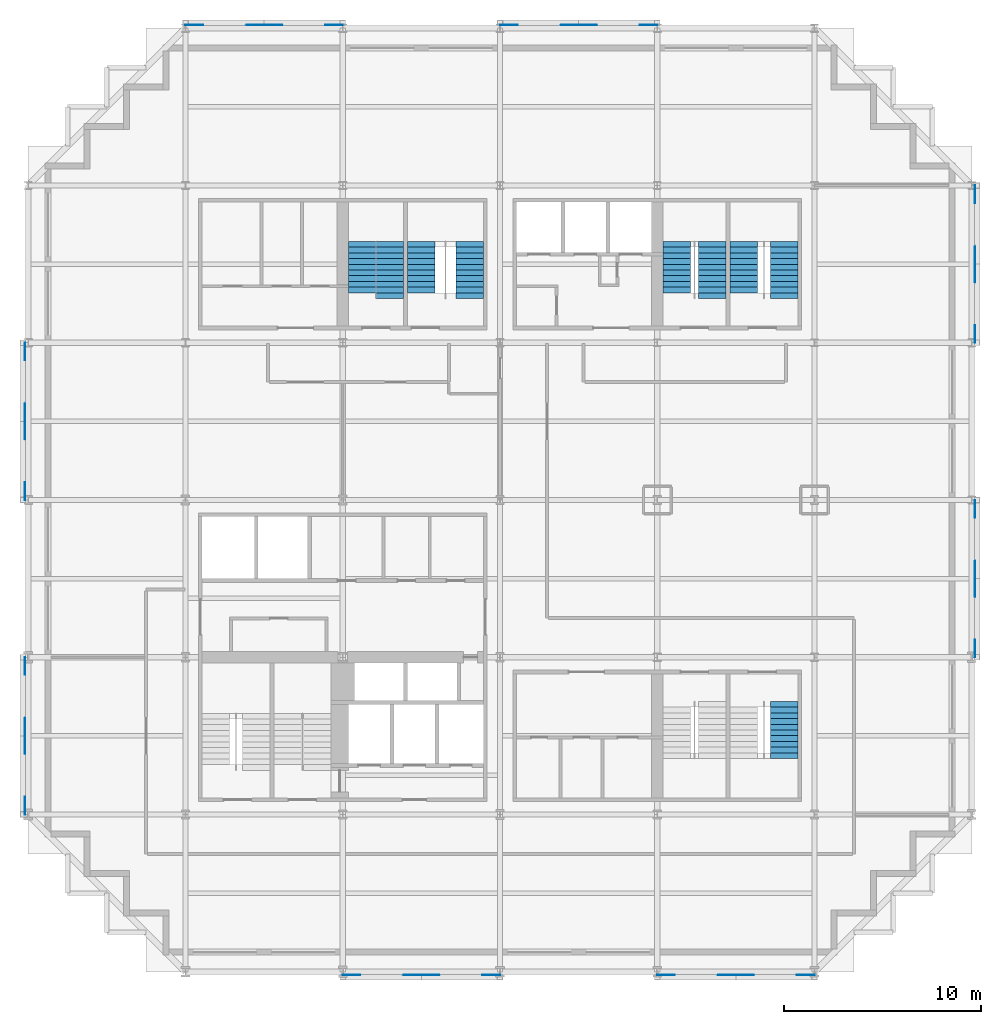
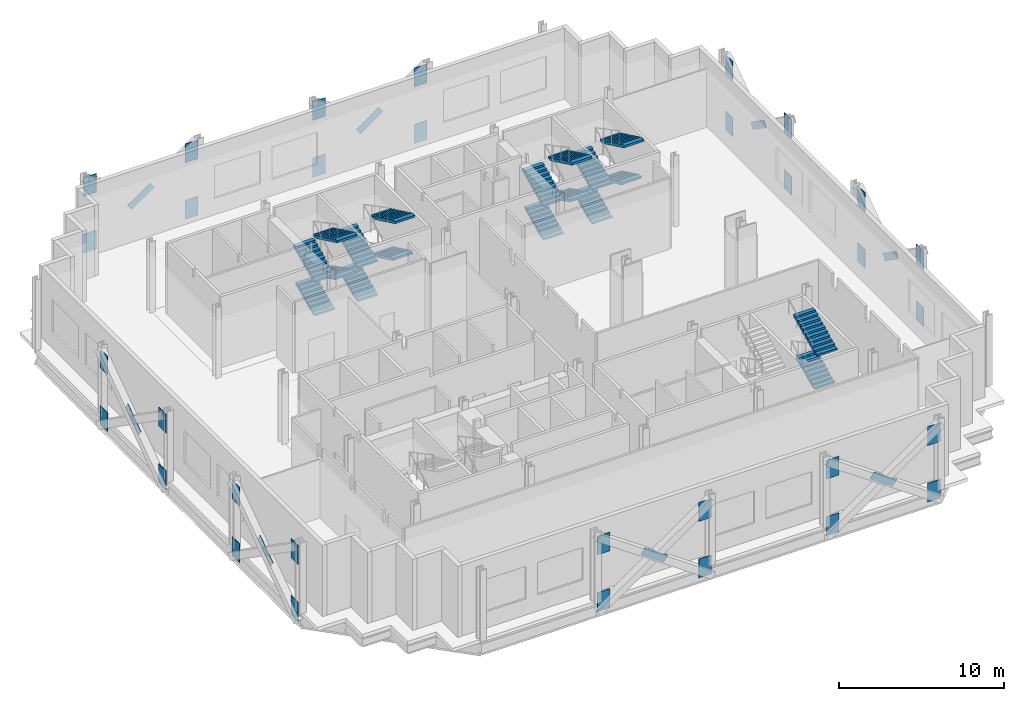
# One storey, part 9 of 10: 40 discrete accessories, 18 stair flights, 5 elements without a shape of their own.
"""IFC4 building model written with IfcOpenShell, lengths in metres."""

from ifc_helpers import new_model, si_unit, direction, frame, origin, origin_2d, place, context, subcontext, project, spatial, polyline, rectangle, outline, extrude, material, material_profile, profile_set, type_object, element, aggregate, save


model = new_model("IFC4")

# Units and contexts
model_context = context("Model", 3, precision=1e-05, world=origin(), true_north=direction((0.0, 1.0)))
body_context = subcontext(model_context, "Body", "Model", "MODEL_VIEW")
ifc_project = project(units=[si_unit("LENGTHUNIT", "METRE"), si_unit("AREAUNIT", "SQUARE_METRE"), si_unit("VOLUMEUNIT", "CUBIC_METRE"), si_unit("PLANEANGLEUNIT", "RADIAN"), si_unit("MASSUNIT", "GRAM", prefix="KILO")], contexts=[model_context])

# Site, building, storey
site_placement = place(None, origin())
site = spatial("IfcSite", under=ifc_project, at=site_placement, CompositionType="ELEMENT")
building_placement = place(site_placement, origin())
building = spatial("IfcBuilding", under=site, at=building_placement, Name="Immortelle Media Tower", CompositionType="ELEMENT")
storey_placement = place(building_placement, frame((0.0, 0.0, 29.39990234375)))
storey = spatial("IfcBuildingStorey", under=building, at=storey_placement, Name="L03", CompositionType="ELEMENT", Elevation=29.39990234375)

# Stair, stair flights
ifc_material_1 = material(Name="Steel ASTM A992 Gr 50", Category="steel")
stair_type = type_object("IfcStairType", Name="Stair with flights", PredefinedType="DOUBLE_RETURN_STAIR", material=ifc_material_1)
stair_1_placement = place(storey_placement, origin())
stair_1 = element("IfcStair", 1, at=stair_1_placement, inside=storey, type_object=stair_type, Name="Exit stair SE2", PredefinedType="DOUBLE_RETURN_STAIR")
stair_flight_type = type_object("IfcStairFlightType", Name="Stair flight 1400", PredefinedType="STRAIGHT", material=ifc_material_1)
stair_flight_1_placement = place(storey_placement, frame((38.449951171875, 11.139892578125, 1.246337890625), z_axis=(0.0, 0.0, 1.0), x_axis=(0.0, 1.0, 0.0)))
stair_flight_1 = element("IfcStairFlight", 2, at=stair_flight_1_placement, type_object=stair_flight_type, Name="ST SE2 flight 2", NumberOfRisers=9, NumberOfTreads=8, PredefinedType="STRAIGHT", RiserHeight=0.138461538, TreadLength=0.29, context=body_context, shape_type="SweptSolid", body=[
    extrude(outline(polyline([(0.0, 0.0), (0.0, 0.138427734375), (0.2900390625, 0.138427734375), (0.2900390625, 0.27685546875), (0.580078125, 0.27685546875), (0.580078125, 0.415283203125), (0.8701171875, 0.415283203125), (0.8701171875, 0.553955078125), (1.159912109375, 0.553955078125), (1.159912109375, 0.6923828125), (1.449951171875, 0.6923828125), (1.449951171875, 0.830810546875), (1.739990234375, 0.830810546875), (1.739990234375, 0.96923828125), (2.030029296875, 0.96923828125), (2.030029296875, 1.107666015625), (2.320068359375, 1.107666015625), (2.320068359375, 1.24609375), (2.320068359375, 0.941650390625), (0.347900390625, 0.0), (0.0, 0.0)])), frame((0.0, 0.699951171875, 0.0), z_axis=(0.0, -1.0, 0.0), x_axis=(1.0, 0.0, 0.0)), (0.0, 0.0, 1.0), 1.39990234375),
])
stair_flight_2_placement = place(storey_placement, frame((38.449951171875, 10.85009765625, 3.876953125), z_axis=(0.0, 0.0, 1.0), x_axis=(0.0, 1.0, 0.0)))
stair_flight_2 = element("IfcStairFlight", 3, at=stair_flight_2_placement, type_object=stair_flight_type, Name="ST SE2 flight 4", NumberOfRisers=11, NumberOfTreads=10, PredefinedType="STRAIGHT", RiserHeight=0.138461538, TreadLength=0.29, context=body_context, shape_type="SweptSolid", body=[
    extrude(outline(polyline([(0.0, 0.0), (0.0, 0.138427734375), (0.2900390625, 0.138427734375), (0.2900390625, 0.27685546875), (0.580078125, 0.27685546875), (0.580078125, 0.415283203125), (0.8701171875, 0.415283203125), (0.8701171875, 0.553955078125), (1.159912109375, 0.553955078125), (1.159912109375, 0.6923828125), (1.449951171875, 0.6923828125), (1.449951171875, 0.830810546875), (1.739990234375, 0.830810546875), (1.739990234375, 0.96923828125), (2.030029296875, 0.96923828125), (2.030029296875, 1.107666015625), (2.320068359375, 1.107666015625), (2.320068359375, 1.24609375), (2.610107421875, 1.24609375), (2.610107421875, 1.384521484375), (2.89990234375, 1.384521484375), (2.89990234375, 1.523193359375), (2.89990234375, 1.218505859375), (0.347900390625, 0.0), (0.0, 0.0)])), frame((0.0, 0.699951171875, 0.0), z_axis=(0.0, -1.0, 0.0), x_axis=(1.0, 0.0, 0.0)), (0.0, 0.0, 1.0), 1.39990234375),
])
aggregate(stair_1, [stair_flight_1, stair_flight_2])

stair_2_placement = place(storey_placement, origin())
stair_2 = element("IfcStair", 4, at=stair_2_placement, inside=storey, type_object=stair_type, Name="Exit stair NW1", PredefinedType="DOUBLE_RETURN_STAIR")
stair_flight_3_placement = place(storey_placement, frame((17.0, 34.5400390625, 0.0), z_axis=(0.0, 0.0, 1.0), x_axis=(0.0, 1.0, 0.0)))
stair_flight_3 = element("IfcStairFlight", 5, at=stair_flight_3_placement, type_object=stair_flight_type, Name="ST NW1 flight 1", NumberOfRisers=9, NumberOfTreads=8, PredefinedType="STRAIGHT", RiserHeight=0.138461538, TreadLength=0.29, context=body_context, shape_type="SweptSolid", body=[
    extrude(outline(polyline([(0.0, 0.0), (0.0, 0.138427734375), (0.2900390625, 0.138427734375), (0.2900390625, 0.27685546875), (0.580078125, 0.27685546875), (0.580078125, 0.415283203125), (0.8701171875, 0.415283203125), (0.8701171875, 0.553955078125), (1.159912109375, 0.553955078125), (1.159912109375, 0.6923828125), (1.449951171875, 0.6923828125), (1.449951171875, 0.830810546875), (1.739990234375, 0.830810546875), (1.739990234375, 0.96923828125), (2.030029296875, 0.96923828125), (2.030029296875, 1.107666015625), (2.320068359375, 1.107666015625), (2.320068359375, 1.24609375), (2.320068359375, 0.941650390625), (0.347900390625, 0.0), (0.0, 0.0)])), frame((0.0, 0.699951171875, 0.0), z_axis=(0.0, -1.0, 0.0), x_axis=(1.0, 0.0, 0.0)), (0.0, 0.0, 1.0), 1.39990234375),
])
stair_flight_4_placement = place(storey_placement, frame((18.39990234375, 36.860107421875, 1.246337890625), z_axis=(0.0, 0.0, 1.0), x_axis=(0.0, -1.0, 0.0)))
stair_flight_4 = element("IfcStairFlight", 6, at=stair_flight_4_placement, type_object=stair_flight_type, Name="ST NW1 flight 2", NumberOfRisers=9, NumberOfTreads=8, PredefinedType="STRAIGHT", RiserHeight=0.138461538, TreadLength=0.29, context=body_context, shape_type="SweptSolid", body=[
    extrude(outline(polyline([(0.0, 0.0), (0.0, 0.138427734375), (0.2900390625, 0.138427734375), (0.2900390625, 0.27685546875), (0.580078125, 0.27685546875), (0.580078125, 0.415283203125), (0.8701171875, 0.415283203125), (0.8701171875, 0.553955078125), (1.159912109375, 0.553955078125), (1.159912109375, 0.6923828125), (1.449951171875, 0.6923828125), (1.449951171875, 0.830810546875), (1.739990234375, 0.830810546875), (1.739990234375, 0.96923828125), (2.030029296875, 0.96923828125), (2.030029296875, 1.107666015625), (2.320068359375, 1.107666015625), (2.320068359375, 1.24609375), (2.320068359375, 0.941650390625), (0.347900390625, 0.0), (0.0, 0.0)])), frame((0.0, 0.699951171875, 0.0), z_axis=(0.0, -1.0, 0.0), x_axis=(1.0, 0.0, 0.0)), (0.0, 0.0, 1.0), 1.39990234375),
])
stair_flight_5_placement = place(storey_placement, frame((17.0, 34.5400390625, 2.492431640625), z_axis=(0.0, 0.0, 1.0), x_axis=(0.0, 1.0, 0.0)))
stair_flight_5 = element("IfcStairFlight", 7, at=stair_flight_5_placement, type_object=stair_flight_type, Name="ST NW1 flight 3", NumberOfRisers=10, NumberOfTreads=9, PredefinedType="STRAIGHT", RiserHeight=0.138461538, TreadLength=0.29, context=body_context, shape_type="SweptSolid", body=[
    extrude(outline(polyline([(0.0, 0.0), (0.0, 0.138427734375), (0.2900390625, 0.138427734375), (0.2900390625, 0.27685546875), (0.580078125, 0.27685546875), (0.580078125, 0.415283203125), (0.8701171875, 0.415283203125), (0.8701171875, 0.553955078125), (1.159912109375, 0.553955078125), (1.159912109375, 0.6923828125), (1.449951171875, 0.6923828125), (1.449951171875, 0.830810546875), (1.739990234375, 0.830810546875), (1.739990234375, 0.96923828125), (2.030029296875, 0.96923828125), (2.030029296875, 1.107666015625), (2.320068359375, 1.107666015625), (2.320068359375, 1.24609375), (2.610107421875, 1.24609375), (2.610107421875, 1.384521484375), (2.610107421875, 1.080078125), (0.347900390625, 0.0), (0.0, 0.0)])), frame((0.0, 0.699951171875, 0.0), z_axis=(0.0, -1.0, 0.0), x_axis=(1.0, 0.0, 0.0)), (0.0, 0.0, 1.0), 1.39990234375),
])
stair_flight_6_placement = place(storey_placement, frame((18.39990234375, 37.14990234375, 3.876953125), z_axis=(0.0, 0.0, 1.0), x_axis=(0.0, -1.0, 0.0)))
stair_flight_6 = element("IfcStairFlight", 8, at=stair_flight_6_placement, type_object=stair_flight_type, Name="ST NW1 flight 4", NumberOfRisers=11, NumberOfTreads=10, PredefinedType="STRAIGHT", RiserHeight=0.138461538, TreadLength=0.29, context=body_context, shape_type="SweptSolid", body=[
    extrude(outline(polyline([(0.0, 0.0), (0.0, 0.138427734375), (0.2900390625, 0.138427734375), (0.2900390625, 0.27685546875), (0.580078125, 0.27685546875), (0.580078125, 0.415283203125), (0.8701171875, 0.415283203125), (0.8701171875, 0.553955078125), (1.159912109375, 0.553955078125), (1.159912109375, 0.6923828125), (1.449951171875, 0.6923828125), (1.449951171875, 0.830810546875), (1.739990234375, 0.830810546875), (1.739990234375, 0.96923828125), (2.030029296875, 0.96923828125), (2.030029296875, 1.107666015625), (2.320068359375, 1.107666015625), (2.320068359375, 1.24609375), (2.610107421875, 1.24609375), (2.610107421875, 1.384521484375), (2.89990234375, 1.384521484375), (2.89990234375, 1.523193359375), (2.89990234375, 1.218505859375), (0.347900390625, 0.0), (0.0, 0.0)])), frame((0.0, 0.699951171875, 0.0), z_axis=(0.0, -1.0, 0.0), x_axis=(1.0, 0.0, 0.0)), (0.0, 0.0, 1.0), 1.39990234375),
])
aggregate(stair_2, [stair_flight_3, stair_flight_4, stair_flight_5, stair_flight_6])

stair_3_placement = place(storey_placement, origin())
stair_3 = element("IfcStair", 9, at=stair_3_placement, inside=storey, type_object=stair_type, Name="Exit stair NW2", PredefinedType="DOUBLE_RETURN_STAIR")
stair_flight_7_placement = place(storey_placement, frame((20.0, 34.5400390625, 0.0), z_axis=(0.0, 0.0, 1.0), x_axis=(0.0, 1.0, 0.0)))
stair_flight_7 = element("IfcStairFlight", 10, at=stair_flight_7_placement, type_object=stair_flight_type, Name="ST NW2 flight 1", NumberOfRisers=9, NumberOfTreads=8, PredefinedType="STRAIGHT", RiserHeight=0.138461538, TreadLength=0.29, context=body_context, shape_type="SweptSolid", body=[
    extrude(outline(polyline([(0.0, 0.0), (0.0, 0.138427734375), (0.2900390625, 0.138427734375), (0.2900390625, 0.27685546875), (0.580078125, 0.27685546875), (0.580078125, 0.415283203125), (0.8701171875, 0.415283203125), (0.8701171875, 0.553955078125), (1.159912109375, 0.553955078125), (1.159912109375, 0.6923828125), (1.449951171875, 0.6923828125), (1.449951171875, 0.830810546875), (1.739990234375, 0.830810546875), (1.739990234375, 0.96923828125), (2.030029296875, 0.96923828125), (2.030029296875, 1.107666015625), (2.320068359375, 1.107666015625), (2.320068359375, 1.24609375), (2.320068359375, 0.941650390625), (0.347900390625, 0.0), (0.0, 0.0)])), frame((0.0, 0.699951171875, 0.0), z_axis=(0.0, -1.0, 0.0), x_axis=(1.0, 0.0, 0.0)), (0.0, 0.0, 1.0), 1.39990234375),
])
stair_flight_8_placement = place(storey_placement, frame((22.449951171875, 36.860107421875, 1.246337890625), z_axis=(0.0, 0.0, 1.0), x_axis=(0.0, -1.0, 0.0)))
stair_flight_8 = element("IfcStairFlight", 11, at=stair_flight_8_placement, type_object=stair_flight_type, Name="ST NW2 flight 2", NumberOfRisers=9, NumberOfTreads=8, PredefinedType="STRAIGHT", RiserHeight=0.138461538, TreadLength=0.29, context=body_context, shape_type="SweptSolid", body=[
    extrude(outline(polyline([(0.0, 0.0), (0.0, 0.138427734375), (0.2900390625, 0.138427734375), (0.2900390625, 0.27685546875), (0.580078125, 0.27685546875), (0.580078125, 0.415283203125), (0.8701171875, 0.415283203125), (0.8701171875, 0.553955078125), (1.159912109375, 0.553955078125), (1.159912109375, 0.6923828125), (1.449951171875, 0.6923828125), (1.449951171875, 0.830810546875), (1.739990234375, 0.830810546875), (1.739990234375, 0.96923828125), (2.030029296875, 0.96923828125), (2.030029296875, 1.107666015625), (2.320068359375, 1.107666015625), (2.320068359375, 1.24609375), (2.320068359375, 0.941650390625), (0.347900390625, 0.0), (0.0, 0.0)])), frame((0.0, 0.699951171875, 0.0), z_axis=(0.0, -1.0, 0.0), x_axis=(1.0, 0.0, 0.0)), (0.0, 0.0, 1.0), 1.39990234375),
])
stair_flight_9_placement = place(storey_placement, frame((20.0, 34.5400390625, 2.492431640625), z_axis=(0.0, 0.0, 1.0), x_axis=(0.0, 1.0, 0.0)))
stair_flight_9 = element("IfcStairFlight", 12, at=stair_flight_9_placement, type_object=stair_flight_type, Name="ST NW2 flight 3", NumberOfRisers=10, NumberOfTreads=9, PredefinedType="STRAIGHT", RiserHeight=0.138461538, TreadLength=0.29, context=body_context, shape_type="SweptSolid", body=[
    extrude(outline(polyline([(0.0, 0.0), (0.0, 0.138427734375), (0.2900390625, 0.138427734375), (0.2900390625, 0.27685546875), (0.580078125, 0.27685546875), (0.580078125, 0.415283203125), (0.8701171875, 0.415283203125), (0.8701171875, 0.553955078125), (1.159912109375, 0.553955078125), (1.159912109375, 0.6923828125), (1.449951171875, 0.6923828125), (1.449951171875, 0.830810546875), (1.739990234375, 0.830810546875), (1.739990234375, 0.96923828125), (2.030029296875, 0.96923828125), (2.030029296875, 1.107666015625), (2.320068359375, 1.107666015625), (2.320068359375, 1.24609375), (2.610107421875, 1.24609375), (2.610107421875, 1.384521484375), (2.610107421875, 1.080078125), (0.347900390625, 0.0), (0.0, 0.0)])), frame((0.0, 0.699951171875, 0.0), z_axis=(0.0, -1.0, 0.0), x_axis=(1.0, 0.0, 0.0)), (0.0, 0.0, 1.0), 1.39990234375),
])
stair_flight_10_placement = place(storey_placement, frame((22.449951171875, 37.14990234375, 3.876953125), z_axis=(0.0, 0.0, 1.0), x_axis=(0.0, -1.0, 0.0)))
stair_flight_10 = element("IfcStairFlight", 13, at=stair_flight_10_placement, type_object=stair_flight_type, Name="ST NW2 flight 4", NumberOfRisers=11, NumberOfTreads=10, PredefinedType="STRAIGHT", RiserHeight=0.138461538, TreadLength=0.29, context=body_context, shape_type="SweptSolid", body=[
    extrude(outline(polyline([(0.0, 0.0), (0.0, 0.138427734375), (0.2900390625, 0.138427734375), (0.2900390625, 0.27685546875), (0.580078125, 0.27685546875), (0.580078125, 0.415283203125), (0.8701171875, 0.415283203125), (0.8701171875, 0.553955078125), (1.159912109375, 0.553955078125), (1.159912109375, 0.6923828125), (1.449951171875, 0.6923828125), (1.449951171875, 0.830810546875), (1.739990234375, 0.830810546875), (1.739990234375, 0.96923828125), (2.030029296875, 0.96923828125), (2.030029296875, 1.107666015625), (2.320068359375, 1.107666015625), (2.320068359375, 1.24609375), (2.610107421875, 1.24609375), (2.610107421875, 1.384521484375), (2.89990234375, 1.384521484375), (2.89990234375, 1.523193359375), (2.89990234375, 1.218505859375), (0.347900390625, 0.0), (0.0, 0.0)])), frame((0.0, 0.699951171875, 0.0), z_axis=(0.0, -1.0, 0.0), x_axis=(1.0, 0.0, 0.0)), (0.0, 0.0, 1.0), 1.39990234375),
])
aggregate(stair_3, [stair_flight_7, stair_flight_8, stair_flight_9, stair_flight_10])

stair_4_placement = place(storey_placement, origin())
stair_4 = element("IfcStair", 14, at=stair_4_placement, inside=storey, type_object=stair_type, Name="Exit stair NE1", PredefinedType="DOUBLE_RETURN_STAIR")
stair_flight_11_placement = place(storey_placement, frame((33.0, 34.5400390625, 0.0), z_axis=(0.0, 0.0, 1.0), x_axis=(0.0, 1.0, 0.0)))
stair_flight_11 = element("IfcStairFlight", 15, at=stair_flight_11_placement, type_object=stair_flight_type, Name="ST NE1 flight 1", NumberOfRisers=9, NumberOfTreads=8, PredefinedType="STRAIGHT", RiserHeight=0.138461538, TreadLength=0.29, context=body_context, shape_type="SweptSolid", body=[
    extrude(outline(polyline([(0.0, 0.0), (0.0, 0.138427734375), (0.2900390625, 0.138427734375), (0.2900390625, 0.27685546875), (0.580078125, 0.27685546875), (0.580078125, 0.415283203125), (0.8701171875, 0.415283203125), (0.8701171875, 0.553955078125), (1.159912109375, 0.553955078125), (1.159912109375, 0.6923828125), (1.449951171875, 0.6923828125), (1.449951171875, 0.830810546875), (1.739990234375, 0.830810546875), (1.739990234375, 0.96923828125), (2.030029296875, 0.96923828125), (2.030029296875, 1.107666015625), (2.320068359375, 1.107666015625), (2.320068359375, 1.24609375), (2.320068359375, 0.941650390625), (0.347900390625, 0.0), (0.0, 0.0)])), frame((0.0, 0.699951171875, 0.0), z_axis=(0.0, -1.0, 0.0), x_axis=(1.0, 0.0, 0.0)), (0.0, 0.0, 1.0), 1.39990234375),
])
stair_flight_12_placement = place(storey_placement, frame((34.800048828125, 36.860107421875, 1.246337890625), z_axis=(0.0, 0.0, 1.0), x_axis=(0.0, -1.0, 0.0)))
stair_flight_12 = element("IfcStairFlight", 16, at=stair_flight_12_placement, type_object=stair_flight_type, Name="ST NE1 flight 2", NumberOfRisers=9, NumberOfTreads=8, PredefinedType="STRAIGHT", RiserHeight=0.138461538, TreadLength=0.29, context=body_context, shape_type="SweptSolid", body=[
    extrude(outline(polyline([(0.0, 0.0), (0.0, 0.138427734375), (0.2900390625, 0.138427734375), (0.2900390625, 0.27685546875), (0.580078125, 0.27685546875), (0.580078125, 0.415283203125), (0.8701171875, 0.415283203125), (0.8701171875, 0.553955078125), (1.159912109375, 0.553955078125), (1.159912109375, 0.6923828125), (1.449951171875, 0.6923828125), (1.449951171875, 0.830810546875), (1.739990234375, 0.830810546875), (1.739990234375, 0.96923828125), (2.030029296875, 0.96923828125), (2.030029296875, 1.107666015625), (2.320068359375, 1.107666015625), (2.320068359375, 1.24609375), (2.320068359375, 0.941650390625), (0.347900390625, 0.0), (0.0, 0.0)])), frame((0.0, 0.699951171875, 0.0), z_axis=(0.0, -1.0, 0.0), x_axis=(1.0, 0.0, 0.0)), (0.0, 0.0, 1.0), 1.39990234375),
])
stair_flight_13_placement = place(storey_placement, frame((33.0, 34.5400390625, 2.492431640625), z_axis=(0.0, 0.0, 1.0), x_axis=(0.0, 1.0, 0.0)))
stair_flight_13 = element("IfcStairFlight", 17, at=stair_flight_13_placement, type_object=stair_flight_type, Name="ST NE1 flight 3", NumberOfRisers=10, NumberOfTreads=9, PredefinedType="STRAIGHT", RiserHeight=0.138461538, TreadLength=0.29, context=body_context, shape_type="SweptSolid", body=[
    extrude(outline(polyline([(0.0, 0.0), (0.0, 0.138427734375), (0.2900390625, 0.138427734375), (0.2900390625, 0.27685546875), (0.580078125, 0.27685546875), (0.580078125, 0.415283203125), (0.8701171875, 0.415283203125), (0.8701171875, 0.553955078125), (1.159912109375, 0.553955078125), (1.159912109375, 0.6923828125), (1.449951171875, 0.6923828125), (1.449951171875, 0.830810546875), (1.739990234375, 0.830810546875), (1.739990234375, 0.96923828125), (2.030029296875, 0.96923828125), (2.030029296875, 1.107666015625), (2.320068359375, 1.107666015625), (2.320068359375, 1.24609375), (2.610107421875, 1.24609375), (2.610107421875, 1.384521484375), (2.610107421875, 1.080078125), (0.347900390625, 0.0), (0.0, 0.0)])), frame((0.0, 0.699951171875, 0.0), z_axis=(0.0, -1.0, 0.0), x_axis=(1.0, 0.0, 0.0)), (0.0, 0.0, 1.0), 1.39990234375),
])
stair_flight_14_placement = place(storey_placement, frame((34.800048828125, 37.14990234375, 3.876953125), z_axis=(0.0, 0.0, 1.0), x_axis=(0.0, -1.0, 0.0)))
stair_flight_14 = element("IfcStairFlight", 18, at=stair_flight_14_placement, type_object=stair_flight_type, Name="ST NE1 flight 4", NumberOfRisers=11, NumberOfTreads=10, PredefinedType="STRAIGHT", RiserHeight=0.138461538, TreadLength=0.29, context=body_context, shape_type="SweptSolid", body=[
    extrude(outline(polyline([(0.0, 0.0), (0.0, 0.138427734375), (0.2900390625, 0.138427734375), (0.2900390625, 0.27685546875), (0.580078125, 0.27685546875), (0.580078125, 0.415283203125), (0.8701171875, 0.415283203125), (0.8701171875, 0.553955078125), (1.159912109375, 0.553955078125), (1.159912109375, 0.6923828125), (1.449951171875, 0.6923828125), (1.449951171875, 0.830810546875), (1.739990234375, 0.830810546875), (1.739990234375, 0.96923828125), (2.030029296875, 0.96923828125), (2.030029296875, 1.107666015625), (2.320068359375, 1.107666015625), (2.320068359375, 1.24609375), (2.610107421875, 1.24609375), (2.610107421875, 1.384521484375), (2.89990234375, 1.384521484375), (2.89990234375, 1.523193359375), (2.89990234375, 1.218505859375), (0.347900390625, 0.0), (0.0, 0.0)])), frame((0.0, 0.699951171875, 0.0), z_axis=(0.0, -1.0, 0.0), x_axis=(1.0, 0.0, 0.0)), (0.0, 0.0, 1.0), 1.39990234375),
])
aggregate(stair_4, [stair_flight_11, stair_flight_12, stair_flight_13, stair_flight_14])

stair_5_placement = place(storey_placement, origin())
stair_5 = element("IfcStair", 19, at=stair_5_placement, inside=storey, type_object=stair_type, Name="Exit stair NE2", PredefinedType="DOUBLE_RETURN_STAIR")
stair_flight_15_placement = place(storey_placement, frame((36.39990234375, 34.5400390625, 0.0), z_axis=(0.0, 0.0, 1.0), x_axis=(0.0, 1.0, 0.0)))
stair_flight_15 = element("IfcStairFlight", 20, at=stair_flight_15_placement, type_object=stair_flight_type, Name="ST NE2 flight 1", NumberOfRisers=9, NumberOfTreads=8, PredefinedType="STRAIGHT", RiserHeight=0.138461538, TreadLength=0.29, context=body_context, shape_type="SweptSolid", body=[
    extrude(outline(polyline([(0.0, 0.0), (0.0, 0.138427734375), (0.2900390625, 0.138427734375), (0.2900390625, 0.27685546875), (0.580078125, 0.27685546875), (0.580078125, 0.415283203125), (0.8701171875, 0.415283203125), (0.8701171875, 0.553955078125), (1.159912109375, 0.553955078125), (1.159912109375, 0.6923828125), (1.449951171875, 0.6923828125), (1.449951171875, 0.830810546875), (1.739990234375, 0.830810546875), (1.739990234375, 0.96923828125), (2.030029296875, 0.96923828125), (2.030029296875, 1.107666015625), (2.320068359375, 1.107666015625), (2.320068359375, 1.24609375), (2.320068359375, 0.941650390625), (0.347900390625, 0.0), (0.0, 0.0)])), frame((0.0, 0.699951171875, 0.0), z_axis=(0.0, -1.0, 0.0), x_axis=(1.0, 0.0, 0.0)), (0.0, 0.0, 1.0), 1.39990234375),
])
stair_flight_16_placement = place(storey_placement, frame((38.449951171875, 36.860107421875, 1.246337890625), z_axis=(0.0, 0.0, 1.0), x_axis=(0.0, -1.0, 0.0)))
stair_flight_16 = element("IfcStairFlight", 21, at=stair_flight_16_placement, type_object=stair_flight_type, Name="ST NE2 flight 2", NumberOfRisers=9, NumberOfTreads=8, PredefinedType="STRAIGHT", RiserHeight=0.138461538, TreadLength=0.29, context=body_context, shape_type="SweptSolid", body=[
    extrude(outline(polyline([(0.0, 0.0), (0.0, 0.138427734375), (0.2900390625, 0.138427734375), (0.2900390625, 0.27685546875), (0.580078125, 0.27685546875), (0.580078125, 0.415283203125), (0.8701171875, 0.415283203125), (0.8701171875, 0.553955078125), (1.159912109375, 0.553955078125), (1.159912109375, 0.6923828125), (1.449951171875, 0.6923828125), (1.449951171875, 0.830810546875), (1.739990234375, 0.830810546875), (1.739990234375, 0.96923828125), (2.030029296875, 0.96923828125), (2.030029296875, 1.107666015625), (2.320068359375, 1.107666015625), (2.320068359375, 1.24609375), (2.320068359375, 0.941650390625), (0.347900390625, 0.0), (0.0, 0.0)])), frame((0.0, 0.699951171875, 0.0), z_axis=(0.0, -1.0, 0.0), x_axis=(1.0, 0.0, 0.0)), (0.0, 0.0, 1.0), 1.39990234375),
])
stair_flight_17_placement = place(storey_placement, frame((36.39990234375, 34.5400390625, 2.492431640625), z_axis=(0.0, 0.0, 1.0), x_axis=(0.0, 1.0, 0.0)))
stair_flight_17 = element("IfcStairFlight", 22, at=stair_flight_17_placement, type_object=stair_flight_type, Name="ST NE2 flight 3", NumberOfRisers=10, NumberOfTreads=9, PredefinedType="STRAIGHT", RiserHeight=0.138461538, TreadLength=0.29, context=body_context, shape_type="SweptSolid", body=[
    extrude(outline(polyline([(0.0, 0.0), (0.0, 0.138427734375), (0.2900390625, 0.138427734375), (0.2900390625, 0.27685546875), (0.580078125, 0.27685546875), (0.580078125, 0.415283203125), (0.8701171875, 0.415283203125), (0.8701171875, 0.553955078125), (1.159912109375, 0.553955078125), (1.159912109375, 0.6923828125), (1.449951171875, 0.6923828125), (1.449951171875, 0.830810546875), (1.739990234375, 0.830810546875), (1.739990234375, 0.96923828125), (2.030029296875, 0.96923828125), (2.030029296875, 1.107666015625), (2.320068359375, 1.107666015625), (2.320068359375, 1.24609375), (2.610107421875, 1.24609375), (2.610107421875, 1.384521484375), (2.610107421875, 1.080078125), (0.347900390625, 0.0), (0.0, 0.0)])), frame((0.0, 0.699951171875, 0.0), z_axis=(0.0, -1.0, 0.0), x_axis=(1.0, 0.0, 0.0)), (0.0, 0.0, 1.0), 1.39990234375),
])
stair_flight_18_placement = place(storey_placement, frame((38.449951171875, 37.14990234375, 3.876953125), z_axis=(0.0, 0.0, 1.0), x_axis=(0.0, -1.0, 0.0)))
stair_flight_18 = element("IfcStairFlight", 23, at=stair_flight_18_placement, type_object=stair_flight_type, Name="ST NE2 flight 4", NumberOfRisers=11, NumberOfTreads=10, PredefinedType="STRAIGHT", RiserHeight=0.138461538, TreadLength=0.29, context=body_context, shape_type="SweptSolid", body=[
    extrude(outline(polyline([(0.0, 0.0), (0.0, 0.138427734375), (0.2900390625, 0.138427734375), (0.2900390625, 0.27685546875), (0.580078125, 0.27685546875), (0.580078125, 0.415283203125), (0.8701171875, 0.415283203125), (0.8701171875, 0.553955078125), (1.159912109375, 0.553955078125), (1.159912109375, 0.6923828125), (1.449951171875, 0.6923828125), (1.449951171875, 0.830810546875), (1.739990234375, 0.830810546875), (1.739990234375, 0.96923828125), (2.030029296875, 0.96923828125), (2.030029296875, 1.107666015625), (2.320068359375, 1.107666015625), (2.320068359375, 1.24609375), (2.610107421875, 1.24609375), (2.610107421875, 1.384521484375), (2.89990234375, 1.384521484375), (2.89990234375, 1.523193359375), (2.89990234375, 1.218505859375), (0.347900390625, 0.0), (0.0, 0.0)])), frame((0.0, 0.699951171875, 0.0), z_axis=(0.0, -1.0, 0.0), x_axis=(1.0, 0.0, 0.0)), (0.0, 0.0, 1.0), 1.39990234375),
])
aggregate(stair_5, [stair_flight_15, stair_flight_16, stair_flight_17, stair_flight_18])

# Discrete accessories
ifc_material_2 = material(Name="Steel ASTM A572 Gr 50", Category="steel")
ifc_material_profile_1 = material_profile(ifc_material_2, rectangle(XDim=0.031982421875, YDim=0.508056640625, at=origin_2d()), Name="PL 32 x 508")
ifc_profile_set_1 = profile_set([ifc_material_profile_1], Name="Steel ASTM A572 Gr 50")
discrete_accessory_type_1 = type_object("IfcDiscreteAccessoryType", Name="Crossing plate XP-BR1 1950 x 508 x 32", PredefinedType="USERDEFINED", material=ifc_profile_set_1)
for number, where, z_axis, x_axis, name in (
    (24, (-0.1640625, 28.799560546875, 2.669189453125), (0.0, -0.820113290029, -0.572201180982), (1.0, 0.0, 0.0), "Crossing plate XP-BR1 of Brace 1/D-E A and Brace 1/D-E B"),
    (25, (-0.1640625, 12.799560546875, 2.669189453125), (0.0, -0.820113290029, -0.572201180982), (1.0, 0.0, 0.0), "Crossing plate XP-BR1 of Brace 1/B-C A and Brace 1/B-C B"),
    (26, (48.1640625, 19.200439453125, 2.669189453125), (0.0, 0.820113290029, -0.572201180982), (-1.0, 0.0, 0.0), "Crossing plate XP-BR1 of Brace 7/C-D A and Brace 7/C-D B"),
    (27, (48.1640625, 35.200439453125, 2.669189453125), (0.0, 0.820113290029, -0.572201180982), (-1.0, 0.0, 0.0), "Crossing plate XP-BR1 of Brace 7/E-F A and Brace 7/E-F B"),
    (28, (28.799560546875, 48.1640625, 2.669189453125), (-0.820113290029, 0.0, -0.572201180982), (0.0, -1.0, 0.0), "Crossing plate XP-BR1 of Brace G/4-5 A and Brace G/4-5 B"),
    (29, (12.799560546875, 48.1640625, 2.669189453125), (-0.820113290029, 0.0, -0.572201180982), (0.0, -1.0, 0.0), "Crossing plate XP-BR1 of Brace G/2-3 A and Brace G/2-3 B"),
    (30, (19.200439453125, -0.1640625, 2.669189453125), (0.820113290029, 0.0, -0.572201180982), (0.0, 1.0, 0.0), "Crossing plate XP-BR1 of Brace A/3-4 A and Brace A/3-4 B"),
    (31, (35.200439453125, -0.1640625, 2.669189453125), (0.820113290029, 0.0, -0.572201180982), (0.0, 1.0, 0.0), "Crossing plate XP-BR1 of Brace A/5-6 A and Brace A/5-6 B"),
):
    element("IfcDiscreteAccessory", number, at=place(storey_placement, frame(where, z_axis=z_axis, x_axis=x_axis)), inside=storey, type_object=discrete_accessory_type_1, Name=name, ObjectType="CROSSING PLATE", PredefinedType="USERDEFINED", context=body_context, shape_type="SweptSolid", body=[
        extrude(rectangle(XDim=0.031982421875, YDim=0.508056640625, at=origin_2d()), origin(), (0.0, 0.0, 1.0), 1.949951171875),
    ])
ifc_material_profile_2 = material_profile(ifc_material_2, rectangle(XDim=0.031982421875, YDim=1.39990234375, at=origin_2d()), Name="PL 32 x 1400")
ifc_profile_set_2 = profile_set([ifc_material_profile_2], Name="Steel ASTM A572 Gr 50")
discrete_accessory_type_2 = type_object("IfcDiscreteAccessoryType", Name="Gusset plate GP1 900 x 1400 x 32", PredefinedType="USERDEFINED", material=ifc_profile_set_2)
for number, where, z_axis, x_axis, name in (
    (32, (-0.1640625, 32.0, 0.0205078125), (0.0, -1.0, 0.0), (1.0, 0.0, 0.0), "Gusset plate GP1, lower end of Brace 1/D-E A"),
    (33, (-0.1640625, 24.0, 4.2021484375), (0.0, 1.0, 0.0), (-1.0, 0.0, 0.0), "Gusset plate GP1, upper end of Brace 1/D-E A"),
    (34, (-0.1640625, 24.0, 0.0205078125), (0.0, 1.0, 0.0), (-1.0, 0.0, 0.0), "Gusset plate GP1, lower end of Brace 1/D-E B"),
    (35, (-0.1640625, 32.0, 4.2021484375), (0.0, -1.0, 0.0), (1.0, 0.0, 0.0), "Gusset plate GP1, upper end of Brace 1/D-E B"),
    (36, (-0.1640625, 16.0, 0.0205078125), (0.0, -1.0, 0.0), (1.0, 0.0, 0.0), "Gusset plate GP1, lower end of Brace 1/B-C A"),
    (37, (-0.1640625, 8.0, 4.2021484375), (0.0, 1.0, 0.0), (-1.0, 0.0, 0.0), "Gusset plate GP1, upper end of Brace 1/B-C A"),
    (38, (-0.1640625, 8.0, 0.0205078125), (0.0, 1.0, 0.0), (-1.0, 0.0, 0.0), "Gusset plate GP1, lower end of Brace 1/B-C B"),
    (39, (-0.1640625, 16.0, 4.2021484375), (0.0, -1.0, 0.0), (1.0, 0.0, 0.0), "Gusset plate GP1, upper end of Brace 1/B-C B"),
    (40, (16.0, -0.1640625, 0.0205078125), (1.0, 0.0, 0.0), (0.0, 1.0, 0.0), "Gusset plate GP1, lower end of Brace A/3-4 A"),
    (41, (24.0, -0.1640625, 4.2021484375), (-1.0, 0.0, 0.0), (0.0, -1.0, 0.0), "Gusset plate GP1, upper end of Brace A/3-4 A"),
    (42, (24.0, -0.1640625, 0.0205078125), (-1.0, 0.0, 0.0), (0.0, -1.0, 0.0), "Gusset plate GP1, lower end of Brace A/3-4 B"),
    (43, (16.0, -0.1640625, 4.2021484375), (1.0, 0.0, 0.0), (0.0, 1.0, 0.0), "Gusset plate GP1, upper end of Brace A/3-4 B"),
    (44, (32.0, -0.1640625, 0.0205078125), (1.0, 0.0, 0.0), (0.0, 1.0, 0.0), "Gusset plate GP1, lower end of Brace A/5-6 A"),
    (45, (40.0, -0.1640625, 4.2021484375), (-1.0, 0.0, 0.0), (0.0, -1.0, 0.0), "Gusset plate GP1, upper end of Brace A/5-6 A"),
    (46, (40.0, -0.1640625, 0.0205078125), (-1.0, 0.0, 0.0), (0.0, -1.0, 0.0), "Gusset plate GP1, lower end of Brace A/5-6 B"),
    (47, (32.0, -0.1640625, 4.2021484375), (1.0, 0.0, 0.0), (0.0, 1.0, 0.0), "Gusset plate GP1, upper end of Brace A/5-6 B"),
    (48, (48.1640625, 16.0, 0.0205078125), (0.0, 1.0, 0.0), (-1.0, 0.0, 0.0), "Gusset plate GP1, lower end of Brace 7/C-D A"),
    (49, (48.1640625, 24.0, 4.2021484375), (0.0, -1.0, 0.0), (1.0, 0.0, 0.0), "Gusset plate GP1, upper end of Brace 7/C-D A"),
    (50, (48.1640625, 24.0, 0.0205078125), (0.0, -1.0, 0.0), (1.0, 0.0, 0.0), "Gusset plate GP1, lower end of Brace 7/C-D B"),
    (51, (48.1640625, 16.0, 4.2021484375), (0.0, 1.0, 0.0), (-1.0, 0.0, 0.0), "Gusset plate GP1, upper end of Brace 7/C-D B"),
    (52, (48.1640625, 32.0, 0.0205078125), (0.0, 1.0, 0.0), (-1.0, 0.0, 0.0), "Gusset plate GP1, lower end of Brace 7/E-F A"),
    (53, (48.1640625, 40.0, 4.2021484375), (0.0, -1.0, 0.0), (1.0, 0.0, 0.0), "Gusset plate GP1, upper end of Brace 7/E-F A"),
    (54, (48.1640625, 40.0, 0.0205078125), (0.0, -1.0, 0.0), (1.0, 0.0, 0.0), "Gusset plate GP1, lower end of Brace 7/E-F B"),
    (55, (48.1640625, 32.0, 4.2021484375), (0.0, 1.0, 0.0), (-1.0, 0.0, 0.0), "Gusset plate GP1, upper end of Brace 7/E-F B"),
    (56, (32.0, 48.1640625, 0.0205078125), (-1.0, 0.0, 0.0), (0.0, -1.0, 0.0), "Gusset plate GP1, lower end of Brace G/4-5 A"),
    (57, (24.0, 48.1640625, 4.2021484375), (1.0, 0.0, 0.0), (0.0, 1.0, 0.0), "Gusset plate GP1, upper end of Brace G/4-5 A"),
    (58, (24.0, 48.1640625, 0.0205078125), (1.0, 0.0, 0.0), (0.0, 1.0, 0.0), "Gusset plate GP1, lower end of Brace G/4-5 B"),
    (59, (32.0, 48.1640625, 4.2021484375), (-1.0, 0.0, 0.0), (0.0, -1.0, 0.0), "Gusset plate GP1, upper end of Brace G/4-5 B"),
    (60, (16.0, 48.1640625, 0.0205078125), (-1.0, 0.0, 0.0), (0.0, -1.0, 0.0), "Gusset plate GP1, lower end of Brace G/2-3 A"),
    (61, (8.0, 48.1640625, 4.2021484375), (1.0, 0.0, 0.0), (0.0, 1.0, 0.0), "Gusset plate GP1, upper end of Brace G/2-3 A"),
    (62, (8.0, 48.1640625, 0.0205078125), (1.0, 0.0, 0.0), (0.0, 1.0, 0.0), "Gusset plate GP1, lower end of Brace G/2-3 B"),
    (63, (16.0, 48.1640625, 4.2021484375), (-1.0, 0.0, 0.0), (0.0, -1.0, 0.0), "Gusset plate GP1, upper end of Brace G/2-3 B"),
):
    element("IfcDiscreteAccessory", number, at=place(storey_placement, frame(where, z_axis=z_axis, x_axis=x_axis)), inside=storey, type_object=discrete_accessory_type_2, Name=name, ObjectType="GUSSET PLATE", PredefinedType="USERDEFINED", context=body_context, shape_type="SweptSolid", body=[
        extrude(rectangle(XDim=0.031982421875, YDim=1.39990234375, at=origin_2d()), origin(), (0.0, 0.0, 1.0), 0.89990234375),
    ])

save(model, "model.ifc")
